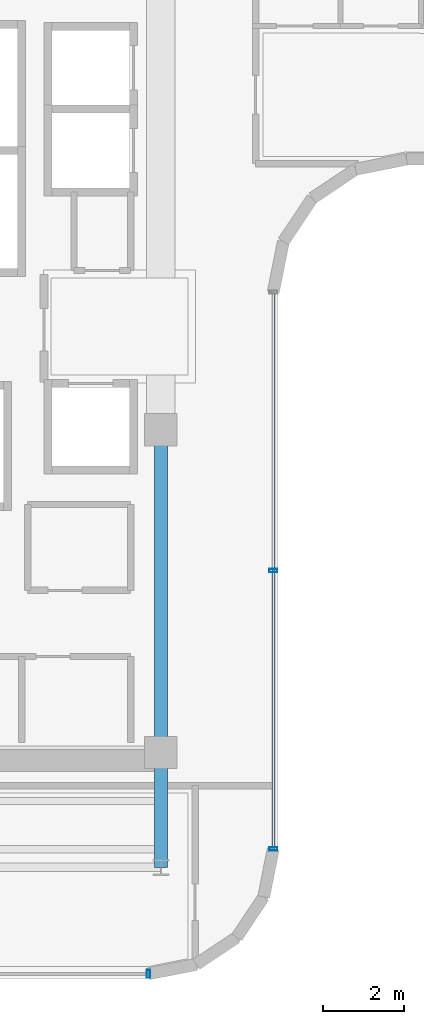
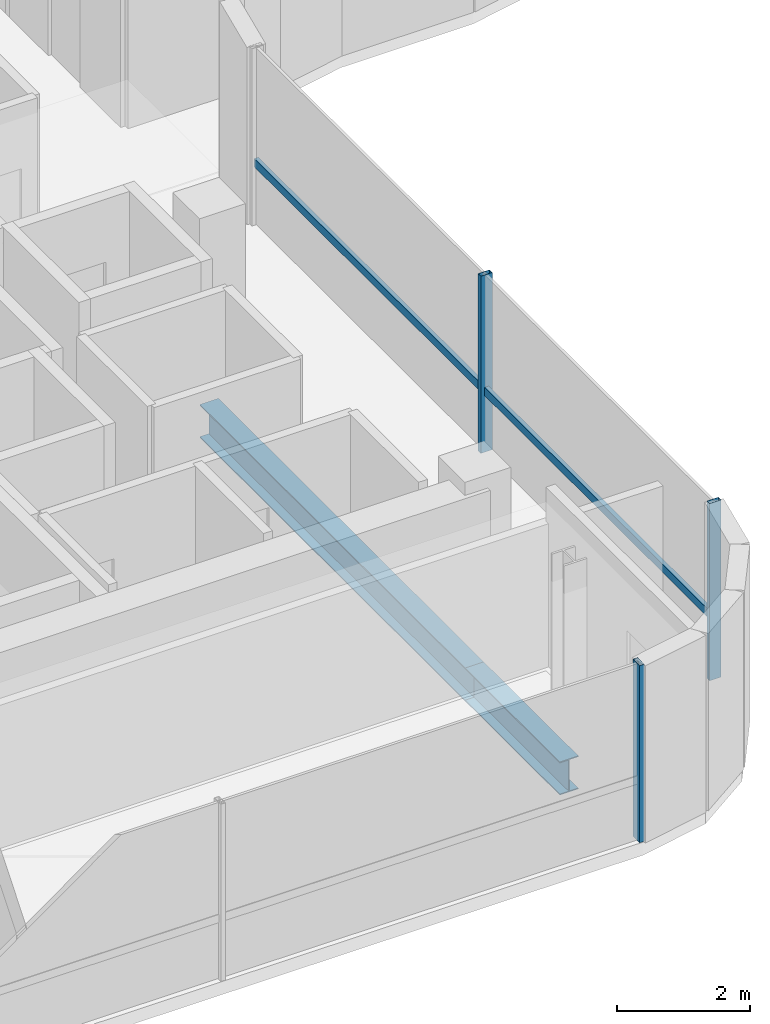
# One storey, part 5 of 19: 4 members, 2 beams, 2 elements without a shape of their own.
"""IFC4 building model written with IfcOpenShell, lengths in metres."""

from ifc_helpers import new_model, si_unit, direction, frame, origin, origin_2d, place, context, subcontext, project, spatial, hollow_rectangle, i_section, extrude, source, transform, mapped, material, material_profile, profile_set, type_object, element, aggregate, save


model = new_model("IFC4")

# Units and contexts
model_context = context("Model", 3, precision=1e-05, world=origin(), true_north=direction((0.0, 1.0)))
body_context = subcontext(model_context, "Body", "Model", "MODEL_VIEW")
ifc_project = project(units=[si_unit("LENGTHUNIT", "METRE"), si_unit("AREAUNIT", "SQUARE_METRE"), si_unit("VOLUMEUNIT", "CUBIC_METRE"), si_unit("PLANEANGLEUNIT", "RADIAN"), si_unit("MASSUNIT", "GRAM", prefix="KILO")], contexts=[model_context])

# Site, building, storey
site_placement = place(None, origin())
site = spatial("IfcSite", under=ifc_project, at=site_placement, CompositionType="ELEMENT")
building_placement = place(site_placement, origin())
building = spatial("IfcBuilding", under=site, at=building_placement, Name="Valdorenza Pilgrim Sanctuary Tower", CompositionType="ELEMENT")
storey_placement = place(building_placement, frame((0.0, 0.0, 266.0)))
storey = spatial("IfcBuildingStorey", under=building, at=storey_placement, Name="L69", CompositionType="ELEMENT", Elevation=266.0)

# Beams
ifc_material_1 = material(Name="Steel ASTM A992 Grade 50", Category="steel")
ifc_material_profile_1 = material_profile(ifc_material_1, i_section(OverallWidth=0.323974609375, OverallDepth=0.611083984375, WebThickness=0.0126953125, FlangeThickness=0.01904296875, at=origin_2d()), Name="W24X104")
ifc_profile_set_1 = profile_set([ifc_material_profile_1], Name="Steel ASTM A992 Grade 50")
beam_type = type_object("IfcBeamType", Name="STR-BM-GRD-W24B", PredefinedType="BEAM", material=ifc_profile_set_1)
shared_shape_1 = source(origin(), body_context, "Body", "SweptSolid", [
    extrude(i_section(OverallWidth=0.323974609375, OverallDepth=0.611083984375, WebThickness=0.0126953125, FlangeThickness=0.01904296875, at=origin_2d()), origin(), (0.0, 0.0, 1.0), 8.0),
])
beam_1_placement = place(storey_placement, frame((-12.39990234375, -10.60009765625, -0.54541015625), z_axis=(0.0, 1.0, 0.0), x_axis=(-1.0, 0.0, 0.0)))
element("IfcBeam", 1, at=beam_1_placement, inside=storey, type_object=beam_type, Name="L69 Core Tie Girder CA-E-S1M0", PredefinedType="BEAM", context=body_context, shape_type="MappedRepresentation", body=[
    mapped(shared_shape_1, transform((0.0, 0.0, 0.0), x_axis=(1.0, 0.0, 0.0), y_axis=(0.0, 1.0, 0.0), z_axis=(0.0, 0.0, 1.0), scale=1.0)),
])
shared_shape_2 = source(origin(), body_context, "Body", "SweptSolid", [
    extrude(i_section(OverallWidth=0.323974609375, OverallDepth=0.611083984375, WebThickness=0.0126953125, FlangeThickness=0.01904296875, at=origin_2d()), origin(), (0.0, 0.0, 1.0), 2.849853515625),
])
beam_2_placement = place(storey_placement, frame((-12.39990234375, -13.449951171875, -0.54541015625), z_axis=(0.0, 1.0, 0.0), x_axis=(-1.0, 0.0, 0.0)))
element("IfcBeam", 2, at=beam_2_placement, inside=storey, type_object=beam_type, Name="L69 Floor Girder WA-S-LE", PredefinedType="BEAM", context=body_context, shape_type="MappedRepresentation", body=[
    mapped(shared_shape_2, transform((0.0, 0.0, 0.0), x_axis=(1.0, 0.0, 0.0), y_axis=(0.0, 1.0, 0.0), z_axis=(0.0, 0.0, 1.0), scale=1.0)),
])

# Curtain wall, members
ifc_material_2 = material(Name="Curtain-wall IGU glazing", Category="glass")
curtain_wall_type = type_object("IfcCurtainWallType", Name="CW-SYS-02", PredefinedType="NOTDEFINED", material=ifc_material_2)
curtain_wall_1_placement = place(storey_placement, origin())
curtain_wall_1 = element("IfcCurtainWall", 3, at=curtain_wall_1_placement, inside=storey, type_object=curtain_wall_type, Name="L69 Curtain Wall CW-L69-1-21", PredefinedType="NOTDEFINED")
ifc_material_3 = material(Name="Anodised aluminium AW-6060", Category="aluminium")
ifc_material_profile_2 = material_profile(ifc_material_3, hollow_rectangle(XDim=0.0849609375, YDim=0.199951171875, WallThickness=0.0048828125, at=origin_2d()), Name="ALU-M 200x85x5")
ifc_profile_set_2 = profile_set([ifc_material_profile_2], Name="Anodised aluminium AW-6060")
member_type_1 = type_object("IfcMemberType", Name="CW-MUL-02", PredefinedType="MULLION", material=ifc_profile_set_2)
shared_shape_3 = source(origin(), body_context, "Body", "SweptSolid", [
    extrude(hollow_rectangle(XDim=0.0849609375, YDim=0.199951171875, WallThickness=0.0048828125, at=origin_2d()), origin(), (0.0, 0.0, 1.0), 3.260009765625),
])
member_1_placement = place(storey_placement, frame((-9.610107421875, -6.089111328125, 0.0), z_axis=(0.0, 0.0, 1.0), x_axis=(0.0, -1.0, 0.0)))
member_1 = element("IfcMember", 4, at=member_1_placement, type_object=member_type_1, Name="CW-L69-1-21 Mullion 2", PredefinedType="MULLION", context=body_context, shape_type="MappedRepresentation", body=[
    mapped(shared_shape_3, transform((0.0, 0.0, 0.0), x_axis=(1.0, 0.0, 0.0), y_axis=(0.0, 1.0, 0.0), z_axis=(0.0, 0.0, 1.0), scale=1.0)),
])
member_2_placement = place(storey_placement, frame((-9.610107421875, -12.9892578125, 0.0), z_axis=(0.0, 0.0, 1.0), x_axis=(0.0, -1.0, 0.0)))
member_2 = element("IfcMember", 5, at=member_2_placement, type_object=member_type_1, Name="CW-L69-1-21 Mullion 3", PredefinedType="MULLION", context=body_context, shape_type="MappedRepresentation", body=[
    mapped(shared_shape_3, transform((0.0, 0.0, 0.0), x_axis=(1.0, 0.0, 0.0), y_axis=(0.0, 1.0, 0.0), z_axis=(0.0, 0.0, 1.0), scale=1.0)),
])

# Curtain wall, member
curtain_wall_2_placement = place(storey_placement, origin())
curtain_wall_2 = element("IfcCurtainWall", 6, at=curtain_wall_2_placement, inside=storey, type_object=curtain_wall_type, Name="L69 Curtain Wall CW-L69-1-26", PredefinedType="NOTDEFINED")
member_3_placement = place(storey_placement, frame((-12.710693359375, -16.090087890625, 0.0), z_axis=(0.0, 0.0, 1.0), x_axis=(-1.0, 0.0, 0.0)))
member_3 = element("IfcMember", 7, at=member_3_placement, type_object=member_type_1, Name="CW-L69-1-26 Mullion 1", PredefinedType="MULLION", context=body_context, shape_type="MappedRepresentation", body=[
    mapped(shared_shape_3, transform((0.0, 0.0, 0.0), x_axis=(1.0, 0.0, 0.0), y_axis=(0.0, 1.0, 0.0), z_axis=(0.0, 0.0, 1.0), scale=1.0)),
])
aggregate(curtain_wall_2, [member_3])

# Member
ifc_material_profile_3 = material_profile(ifc_material_3, hollow_rectangle(XDim=0.074951171875, YDim=0.14990234375, WallThickness=0.00390625, at=origin_2d()), Name="ALU-T 150x75x4")
ifc_profile_set_3 = profile_set([ifc_material_profile_3], Name="Anodised aluminium AW-6060")
member_type_2 = type_object("IfcMemberType", Name="CW-TRN-02", PredefinedType="USERDEFINED", material=ifc_profile_set_3)
shared_shape_4 = source(origin(), body_context, "Body", "SweptSolid", [
    extrude(hollow_rectangle(XDim=0.074951171875, YDim=0.14990234375, WallThickness=0.00390625, at=origin_2d()), origin(), (0.0, 0.0, 1.0), 13.800048828125),
])
member_4_placement = place(storey_placement, frame((-9.610107421875, 0.810791015625, 1.1201171875), z_axis=(0.0, -1.0, 0.0), x_axis=(1.0, 0.0, 0.0)))
member_4 = element("IfcMember", 8, at=member_4_placement, type_object=member_type_2, Name="CW-L69-1-21 Transom 1", ObjectType="TRANSOM", PredefinedType="USERDEFINED", context=body_context, shape_type="MappedRepresentation", body=[
    mapped(shared_shape_4, transform((0.0, 0.0, 0.0), x_axis=(1.0, 0.0, 0.0), y_axis=(0.0, 1.0, 0.0), z_axis=(0.0, 0.0, 1.0), scale=1.0)),
])

aggregate(curtain_wall_1, [member_1, member_2, member_4])

save(model, "model.ifc")
